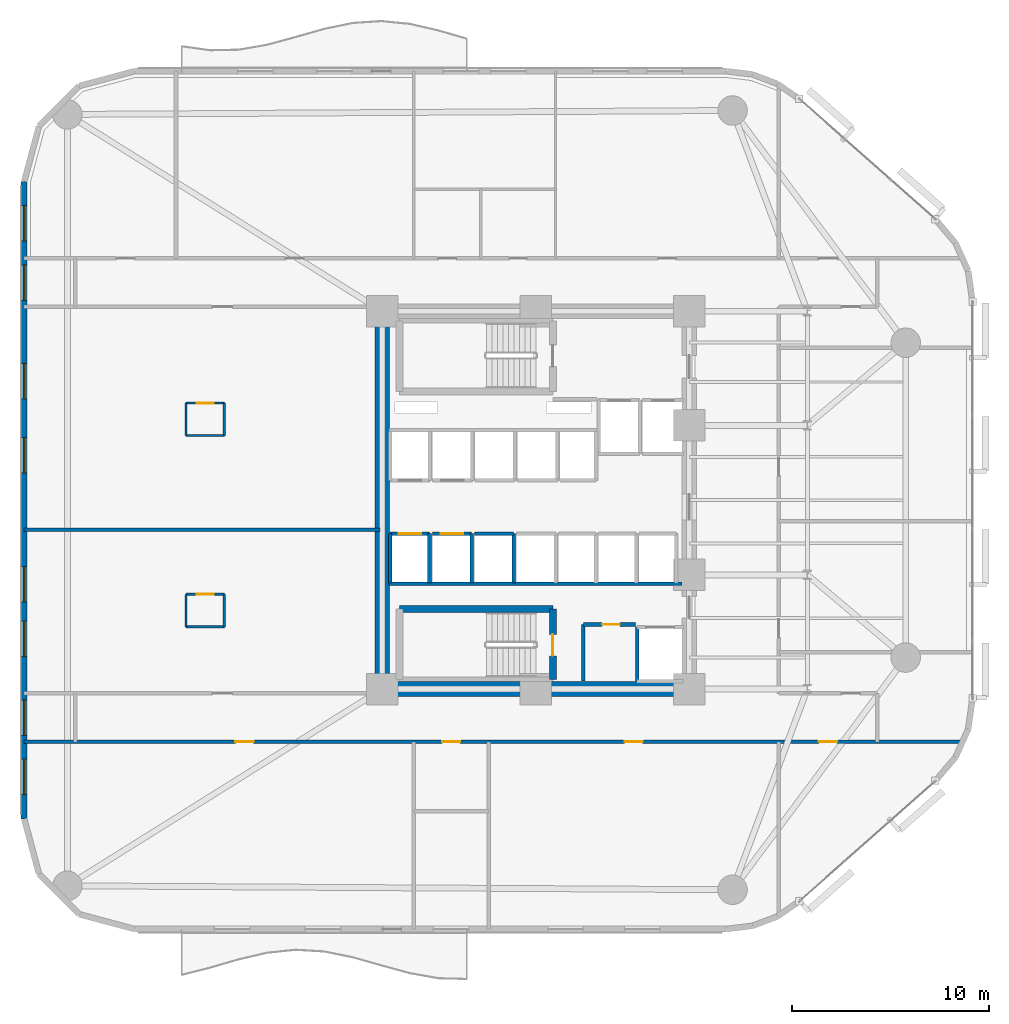
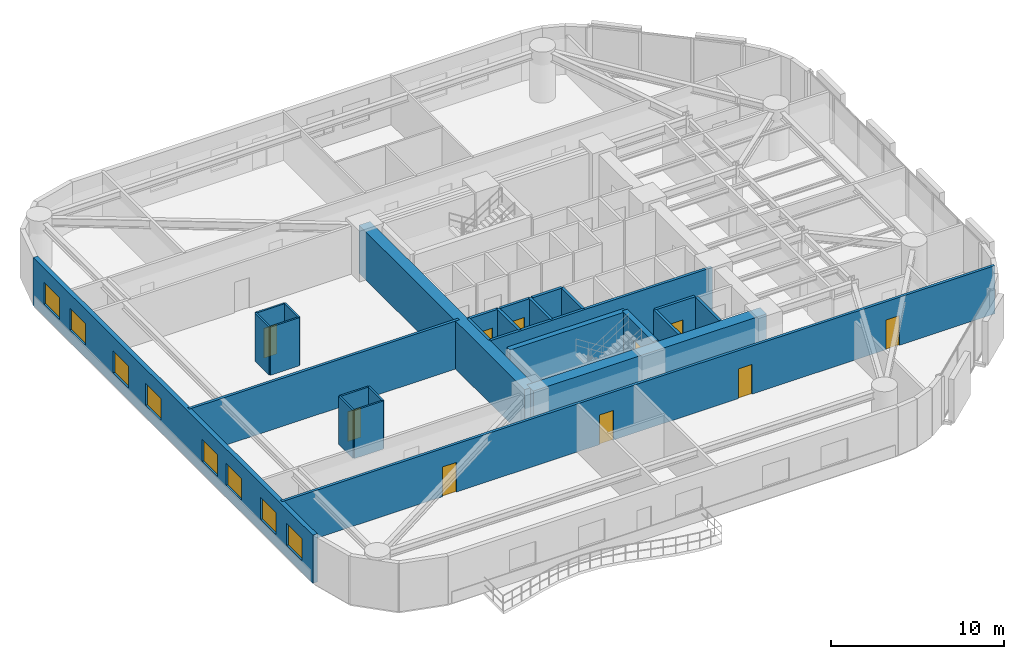
# One storey, part 10 of 16: 26 walls, 10 doors, 8 windows, 18 openings.
"""IFC4 building model written with IfcOpenShell, lengths in metres."""

from ifc_helpers import new_model, si_unit, direction, frame, frame_2d, origin, place, context, subcontext, project, spatial, rectangle, extrude, material, layer, layer_set, type_object, element, fill, save


model = new_model("IFC4")

# Units and contexts
model_context = context("Model", 3, precision=1e-05, world=origin(), true_north=direction((0.0, 1.0)))
body_context = subcontext(model_context, "Body", "Model", "MODEL_VIEW")
ifc_project = project(units=[si_unit("LENGTHUNIT", "METRE"), si_unit("AREAUNIT", "SQUARE_METRE"), si_unit("VOLUMEUNIT", "CUBIC_METRE"), si_unit("PLANEANGLEUNIT", "RADIAN"), si_unit("MASSUNIT", "GRAM", prefix="KILO")], contexts=[model_context])

# Site, building, storey
site_placement = place(None, origin())
site = spatial("IfcSite", under=ifc_project, at=site_placement, CompositionType="ELEMENT")
building_placement = place(site_placement, origin())
building = spatial("IfcBuilding", under=site, at=building_placement, Name="An Khanh Terracotta Commons", CompositionType="ELEMENT")
storey_placement = place(building_placement, frame((0.0, 0.0, 43.199951171875)))
storey = spatial("IfcBuildingStorey", under=building, at=storey_placement, Name="L11", CompositionType="ELEMENT", Elevation=43.199951171875)

# Walls
ifc_material_1 = material(Name="Concrete C70/85", Category="concrete")
ifc_layer_1 = layer(ifc_material_1, 0.75, Name="Concrete C70/85")
ifc_layer_set_1 = layer_set([ifc_layer_1], Name="Concrete C70/85")
wall_type_1 = type_object("IfcWallType", Name="WALL-CORE-750", PredefinedType="SHEAR", material=ifc_layer_set_1)
wall_1_placement = place(storey_placement, frame((21.60009765625, 14.39990234375, 0.0), z_axis=(0.0, 0.0, 1.0), x_axis=(0.0, 1.0, 0.0)))
element("IfcWall", 1, at=wall_1_placement, inside=storey, type_object=wall_type_1, Name="L11 Core Wall CWALL-L11-W", PredefinedType="SHEAR", context=body_context, shape_type="SweptSolid", body=[
    extrude(rectangle(XDim=19.2001953125, YDim=0.75, at=frame_2d((9.60009765625, 0.0))), origin(), (0.0, 0.0, 1.0), 3.400146484375),
])
wall_2_placement = place(storey_placement, frame((37.199951171875, 14.39990234375, 0.0), z_axis=(0.0, 0.0, 1.0), x_axis=(-1.0, 0.0, 0.0)))
element("IfcWall", 2, at=wall_2_placement, inside=storey, type_object=wall_type_1, Name="L11 Core Wall CWALL-L11-S", PredefinedType="SHEAR", context=body_context, shape_type="SweptSolid", body=[
    extrude(rectangle(XDim=15.599853515625, YDim=0.75, at=frame_2d((7.7998046875, 0.0))), origin(), (0.0, 0.0, 1.0), 3.400146484375),
])
ifc_material_2 = material(Name="Fire-Rated Gypsum Board on Steel Stud", Category="steel")
ifc_layer_2 = layer(ifc_material_2, 0.179931640625, Name="Fire-Rated Gypsum Board on Steel Stud")
ifc_layer_set_2 = layer_set([ifc_layer_2], Name="Fire-Rated Gypsum Board on Steel Stud")
wall_type_2 = type_object("IfcWallType", Name="WALL-CORR-180", PredefinedType="PARTITIONING", material=ifc_layer_set_2)
wall_3_placement = place(storey_placement, frame((21.949951171875, 19.760009765625, 0.0), z_axis=(0.0, 0.0, 1.0), x_axis=(1.0, 0.0, 0.0)))
element("IfcWall", 3, at=wall_3_placement, inside=storey, type_object=wall_type_2, Name="L11 Core Wall SVW-L11-N", PredefinedType="PARTITIONING", context=body_context, shape_type="SweptSolid", body=[
    extrude(rectangle(XDim=14.8701171875, YDim=0.179931640625, at=frame_2d((7.43505859375, 0.0))), origin(), (0.0, 0.0, 1.0), 3.400146484375),
])

# Wall, opening, door
wall_4_placement = place(storey_placement, frame((31.820068359375, 17.679931640625, 0.0), z_axis=(0.0, 0.0, 1.0), x_axis=(1.0, 0.0, 0.0)))
wall_4 = element("IfcWall", 4, at=wall_4_placement, inside=storey, type_object=wall_type_2, Name="L11 Core Wall SSVCW-L11-N", PredefinedType="PARTITIONING", context=body_context, shape_type="SweptSolid", body=[
    extrude(rectangle(XDim=2.659912109375, YDim=0.179931640625, at=frame_2d((1.330078125, 0.0))), origin(), (0.0, 0.0, 1.0), 3.400146484375),
])
opening_1_placement = place(wall_4_placement, frame((0.949951171875, 0.0, 0.0)))
opening_1 = element("IfcOpeningElement", 5, at=opening_1_placement, cuts=wall_4, Name="Opening D-SV", PredefinedType="OPENING", context=body_context, shape_type="SweptSolid", body=[
    extrude(rectangle(XDim=0.89990234375, YDim=2.050048828125, at=frame_2d((0.449951171875, 1.02490234375))), frame((0.0, 0.099853515625, 0.0), z_axis=(0.0, -1.0, 0.0), x_axis=(1.0, 0.0, 0.0)), (0.0, 0.0, 1.0), 0.199951171875),
])
ifc_material_3 = material(Name="Fire-Rated Powder-Coated Steel Door", Category="steel")
door_type_1 = type_object("IfcDoorType", Name="DOOR-SERV-900", OperationType="NOTDEFINED", PredefinedType="DOOR", material=ifc_material_3)
door_1_placement = place(opening_1_placement, origin())
door_1 = element("IfcDoor", 6, at=door_1_placement, inside=storey, type_object=door_type_1, Name="L11 Electrical Switch Cupboard Door", OperationType="SINGLE_SWING_RIGHT", OverallHeight=2.050048828125, OverallWidth=0.89990234375, PredefinedType="DOOR", context=body_context, shape_type="SweptSolid", body=[
    extrude(rectangle(XDim=0.89990234375, YDim=2.050048828125, at=frame_2d((0.449951171875, 1.02490234375))), frame((0.0, 0.02490234375, 0.0), z_axis=(0.0, -1.0, 0.0), x_axis=(1.0, 0.0, 0.0)), (0.0, 0.0, 1.0), 0.050048828125),
])
fill(opening_1, door_1)

# Walls
wall_5_placement = place(storey_placement, frame((31.820068359375, 14.800048828125, 0.0), z_axis=(0.0, 0.0, 1.0), x_axis=(0.0, 1.0, 0.0)))
element("IfcWall", 7, at=wall_5_placement, inside=storey, type_object=wall_type_2, Name="L11 Core Wall SSVCW-L11-W", PredefinedType="PARTITIONING", context=body_context, shape_type="SweptSolid", body=[
    extrude(rectangle(XDim=2.8798828125, YDim=0.179931640625, at=frame_2d((1.43994140625, 0.0))), origin(), (0.0, 0.0, 1.0), 3.400146484375),
])
wall_6_placement = place(storey_placement, frame((34.550048828125, 17.550048828125, 0.0), z_axis=(0.0, 0.0, 1.0), x_axis=(0.0, -1.0, 0.0)))
element("IfcWall", 8, at=wall_6_placement, inside=storey, type_object=wall_type_2, Name="L11 Core Wall LSH-L11-SVL-01-W", PredefinedType="PARTITIONING", context=body_context, shape_type="SweptSolid", body=[
    extrude(rectangle(XDim=2.75, YDim=0.179931640625, at=frame_2d((1.375, 0.0))), origin(), (0.0, 0.0, 1.0), 3.400146484375),
])

# Wall, opening, door
wall_7_placement = place(storey_placement, frame((22.0, 22.300048828125, 0.0), z_axis=(0.0, 0.0, 1.0), x_axis=(1.0, 0.0, 0.0)))
wall_7 = element("IfcWall", 9, at=wall_7_placement, inside=storey, type_object=wall_type_2, Name="L11 Core Wall LSH-L11-PL-L3-N", PredefinedType="PARTITIONING", context=body_context, shape_type="SweptSolid", body=[
    extrude(rectangle(XDim=2.0, YDim=0.179931640625, at=frame_2d((1.0, 0.0))), origin(), (0.0, 0.0, 1.0), 3.400146484375),
])
opening_2_placement = place(wall_7_placement, frame((0.425048828125, 0.0, 0.0)))
opening_2 = element("IfcOpeningElement", 10, at=opening_2_placement, cuts=wall_7, Name="Opening LD-PL-L3-L11", PredefinedType="OPENING", context=body_context, shape_type="SweptSolid", body=[
    extrude(rectangle(XDim=1.14990234375, YDim=2.199951171875, at=frame_2d((0.574951171875, 1.10009765625))), frame((0.0, 0.099853515625, 0.0), z_axis=(0.0, -1.0, 0.0), x_axis=(1.0, 0.0, 0.0)), (0.0, 0.0, 1.0), 0.199951171875),
])
ifc_material_4 = material(Name="Brushed Stainless Steel Passenger Landing Door", Category="steel")
door_type_2 = type_object("IfcDoorType", Name="DOOR-LD-PAX-1150", OperationType="NOTDEFINED", PredefinedType="DOOR", material=ifc_material_4)
door_2_placement = place(opening_2_placement, origin())
door_2 = element("IfcDoor", 11, at=door_2_placement, inside=storey, type_object=door_type_2, Name="L11 Lift PL-L3 Sliding Landing Door", OperationType="DOUBLE_DOOR_SLIDING", OverallHeight=2.199951171875, OverallWidth=1.14990234375, PredefinedType="DOOR", context=body_context, shape_type="SweptSolid", body=[
    extrude(rectangle(XDim=1.14990234375, YDim=2.199951171875, at=frame_2d((0.574951171875, 1.10009765625))), frame((0.0, 0.02490234375, 0.0), z_axis=(0.0, -1.0, 0.0), x_axis=(1.0, 0.0, 0.0)), (0.0, 0.0, 1.0), 0.050048828125),
])
fill(opening_2, door_2)

# Walls
for number, where, z_axis, x_axis, name in (
    (12, (24.0, 19.800048828125, 0.0), (0.0, 0.0, 1.0), (0.0, 1.0, 0.0), "L11 Core Wall LSH-L11-PL-L3-E"),
    (13, (22.0, 22.300048828125, 0.0), (0.0, 0.0, 1.0), (0.0, -1.0, 0.0), "L11 Core Wall LSH-L11-PL-L3-W"),
):
    element("IfcWall", number, at=place(storey_placement, frame(where, z_axis=z_axis, x_axis=x_axis)), inside=storey, type_object=wall_type_2, Name=name, PredefinedType="PARTITIONING", context=body_context, shape_type="SweptSolid", body=[
        extrude(rectangle(XDim=2.5, YDim=0.179931640625, at=frame_2d((1.25, 0.0))), origin(), (0.0, 0.0, 1.0), 3.400146484375),
    ])

# Wall, opening, door
wall_8_placement = place(storey_placement, frame((24.139892578125, 22.300048828125, 0.0), z_axis=(0.0, 0.0, 1.0), x_axis=(1.0, 0.0, 0.0)))
wall_8 = element("IfcWall", 14, at=wall_8_placement, inside=storey, type_object=wall_type_2, Name="L11 Core Wall LSH-L11-PL-L4-N", PredefinedType="PARTITIONING", context=body_context, shape_type="SweptSolid", body=[
    extrude(rectangle(XDim=2.0, YDim=0.179931640625, at=frame_2d((1.0, 0.0))), origin(), (0.0, 0.0, 1.0), 3.400146484375),
])
opening_3_placement = place(wall_8_placement, frame((0.425048828125, 0.0, 0.0)))
opening_3 = element("IfcOpeningElement", 15, at=opening_3_placement, cuts=wall_8, Name="Opening LD-PL-L4-L11", PredefinedType="OPENING", context=body_context, shape_type="SweptSolid", body=[
    extrude(rectangle(XDim=1.14990234375, YDim=2.199951171875, at=frame_2d((0.574951171875, 1.10009765625))), frame((0.0, 0.099853515625, 0.0), z_axis=(0.0, -1.0, 0.0), x_axis=(1.0, 0.0, 0.0)), (0.0, 0.0, 1.0), 0.199951171875),
])
door_3_placement = place(opening_3_placement, origin())
door_3 = element("IfcDoor", 16, at=door_3_placement, inside=storey, type_object=door_type_2, Name="L11 Lift PL-L4 Sliding Landing Door", OperationType="DOUBLE_DOOR_SLIDING", OverallHeight=2.199951171875, OverallWidth=1.14990234375, PredefinedType="DOOR", context=body_context, shape_type="SweptSolid", body=[
    extrude(rectangle(XDim=1.14990234375, YDim=2.199951171875, at=frame_2d((0.574951171875, 1.10009765625))), frame((0.0, 0.02490234375, 0.0), z_axis=(0.0, -1.0, 0.0), x_axis=(1.0, 0.0, 0.0)), (0.0, 0.0, 1.0), 0.050048828125),
])
fill(opening_3, door_3)

# Walls
wall_9_placement = place(storey_placement, frame((26.139892578125, 19.800048828125, 0.0), z_axis=(0.0, 0.0, 1.0), x_axis=(0.0, 1.0, 0.0)))
element("IfcWall", 17, at=wall_9_placement, inside=storey, type_object=wall_type_2, Name="L11 Core Wall LSH-L11-PL-L4-E", PredefinedType="PARTITIONING", context=body_context, shape_type="SweptSolid", body=[
    extrude(rectangle(XDim=2.5, YDim=0.179931640625, at=frame_2d((1.25, 0.0))), origin(), (0.0, 0.0, 1.0), 3.400146484375),
])
wall_10_placement = place(storey_placement, frame((26.280029296875, 22.300048828125, 0.0), z_axis=(0.0, 0.0, 1.0), x_axis=(1.0, 0.0, 0.0)))
element("IfcWall", 18, at=wall_10_placement, inside=storey, type_object=wall_type_2, Name="L11 Core Wall LSH-L11-PL-M3-N", PredefinedType="PARTITIONING", context=body_context, shape_type="SweptSolid", body=[
    extrude(rectangle(XDim=2.0, YDim=0.179931640625, at=frame_2d((1.0, 0.0))), origin(), (0.0, 0.0, 1.0), 3.400146484375),
])
wall_11_placement = place(storey_placement, frame((28.280029296875, 19.800048828125, 0.0), z_axis=(0.0, 0.0, 1.0), x_axis=(0.0, 1.0, 0.0)))
element("IfcWall", 19, at=wall_11_placement, inside=storey, type_object=wall_type_2, Name="L11 Core Wall LSH-L11-PL-M3-E", PredefinedType="PARTITIONING", context=body_context, shape_type="SweptSolid", body=[
    extrude(rectangle(XDim=2.5, YDim=0.179931640625, at=frame_2d((1.25, 0.0))), origin(), (0.0, 0.0, 1.0), 3.400146484375),
])

# Wall, openings, doors
wall_12_placement = place(storey_placement, frame((3.39990234375, 11.719970703125, 0.0), z_axis=(0.0, 0.0, 1.0), x_axis=(1.0, 0.0, 0.0)))
wall_12 = element("IfcWall", 20, at=wall_12_placement, inside=storey, type_object=wall_type_2, Name="L11 Interior Partition IW-L11-E002", PredefinedType="PARTITIONING", context=body_context, shape_type="SweptSolid", body=[
    extrude(rectangle(XDim=47.689208984375, YDim=0.179931640625, at=frame_2d((23.8447265625, 0.0))), origin(), (0.0, 0.0, 1.0), 3.400146484375),
])
opening_4_placement = place(wall_12_placement, frame((21.239990234375, 0.0, 0.0)))
opening_4 = element("IfcOpeningElement", 21, at=opening_4_placement, cuts=wall_12, Name="Opening D-RM", PredefinedType="OPENING", context=body_context, shape_type="SweptSolid", body=[
    extrude(rectangle(XDim=0.919921875, YDim=2.10009765625, at=frame_2d((0.4599609375, 1.050048828125))), frame((0.0, 0.099853515625, 0.0), z_axis=(0.0, -1.0, 0.0), x_axis=(1.0, 0.0, 0.0)), (0.0, 0.0, 1.0), 0.199951171875),
])
opening_5_placement = place(wall_12_placement, frame((40.389892578125, 0.0, 0.0)))
opening_5 = element("IfcOpeningElement", 22, at=opening_5_placement, cuts=wall_12, Name="Opening D-RM", PredefinedType="OPENING", context=body_context, shape_type="SweptSolid", body=[
    extrude(rectangle(XDim=0.919921875, YDim=2.10009765625, at=frame_2d((0.4599609375, 1.050048828125))), frame((0.0, 0.099853515625, 0.0), z_axis=(0.0, -1.0, 0.0), x_axis=(1.0, 0.0, 0.0)), (0.0, 0.0, 1.0), 0.199951171875),
])
opening_6_placement = place(wall_12_placement, frame((10.739990234375, 0.0, 0.0)))
opening_6 = element("IfcOpeningElement", 23, at=opening_6_placement, cuts=wall_12, Name="Opening D-RM", PredefinedType="OPENING", context=body_context, shape_type="SweptSolid", body=[
    extrude(rectangle(XDim=0.919921875, YDim=2.10009765625, at=frame_2d((0.4599609375, 1.050048828125))), frame((0.0, 0.099853515625, 0.0), z_axis=(0.0, -1.0, 0.0), x_axis=(1.0, 0.0, 0.0)), (0.0, 0.0, 1.0), 0.199951171875),
])
opening_7_placement = place(wall_12_placement, frame((30.514892578125, 0.0, 0.0)))
opening_7 = element("IfcOpeningElement", 24, at=opening_7_placement, cuts=wall_12, Name="Opening D-RM", PredefinedType="OPENING", context=body_context, shape_type="SweptSolid", body=[
    extrude(rectangle(XDim=0.919921875, YDim=2.10009765625, at=frame_2d((0.4599609375, 1.050048828125))), frame((0.0, 0.099853515625, 0.0), z_axis=(0.0, -1.0, 0.0), x_axis=(1.0, 0.0, 0.0)), (0.0, 0.0, 1.0), 0.199951171875),
])
ifc_material_5 = material(Name="Engineered Hardwood Timber Leaf", Category="wood")
door_type_3 = type_object("IfcDoorType", Name="DOOR-INT-920", OperationType="NOTDEFINED", PredefinedType="DOOR", material=ifc_material_5)
door_4_placement = place(opening_4_placement, origin())
door_4 = element("IfcDoor", 25, at=door_4_placement, inside=storey, type_object=door_type_3, Name="L11 HKP Housekeeping Linen Store Door", OperationType="SINGLE_SWING_LEFT", OverallHeight=2.10009765625, OverallWidth=0.919921875, PredefinedType="DOOR", context=body_context, shape_type="SweptSolid", body=[
    extrude(rectangle(XDim=0.919921875, YDim=2.10009765625, at=frame_2d((0.4599609375, 1.050048828125))), frame((0.0, 0.02490234375, 0.0), z_axis=(0.0, -1.0, 0.0), x_axis=(1.0, 0.0, 0.0)), (0.0, 0.0, 1.0), 0.050048828125),
])
fill(opening_4, door_4)
door_5_placement = place(opening_5_placement, origin())
door_5 = element("IfcDoor", 26, at=door_5_placement, inside=storey, type_object=door_type_3, Name="L11 FANS Quiet Focus Office Door", OperationType="SINGLE_SWING_LEFT", OverallHeight=2.10009765625, OverallWidth=0.919921875, PredefinedType="DOOR", context=body_context, shape_type="SweptSolid", body=[
    extrude(rectangle(XDim=0.919921875, YDim=2.10009765625, at=frame_2d((0.4599609375, 1.050048828125))), frame((0.0, 0.02490234375, 0.0), z_axis=(0.0, -1.0, 0.0), x_axis=(1.0, 0.0, 0.0)), (0.0, 0.0, 1.0), 0.050048828125),
])
fill(opening_5, door_5)
door_6_placement = place(opening_6_placement, origin())
door_6 = element("IfcDoor", 27, at=door_6_placement, inside=storey, type_object=door_type_3, Name="L11 SW1 Communal Kitchen and Dining Door", OperationType="SINGLE_SWING_LEFT", OverallHeight=2.10009765625, OverallWidth=0.919921875, PredefinedType="DOOR", context=body_context, shape_type="SweptSolid", body=[
    extrude(rectangle(XDim=0.919921875, YDim=2.10009765625, at=frame_2d((0.4599609375, 1.050048828125))), frame((0.0, 0.02490234375, 0.0), z_axis=(0.0, -1.0, 0.0), x_axis=(1.0, 0.0, 0.0)), (0.0, 0.0, 1.0), 0.050048828125),
])
fill(opening_6, door_6)
door_7_placement = place(opening_7_placement, origin())
door_7 = element("IfcDoor", 28, at=door_7_placement, inside=storey, type_object=door_type_3, Name="L11 SWE Communal Kitchen and Dining Door", OperationType="SINGLE_SWING_RIGHT", OverallHeight=2.10009765625, OverallWidth=0.919921875, PredefinedType="DOOR", context=body_context, shape_type="SweptSolid", body=[
    extrude(rectangle(XDim=0.919921875, YDim=2.10009765625, at=frame_2d((0.4599609375, 1.050048828125))), frame((0.0, 0.02490234375, 0.0), z_axis=(0.0, -1.0, 0.0), x_axis=(1.0, 0.0, 0.0)), (0.0, 0.0, 1.0), 0.050048828125),
])
fill(opening_7, door_7)

# Wall
wall_13_placement = place(storey_placement, frame((3.39990234375, 22.5, 0.0), z_axis=(0.0, 0.0, 1.0), x_axis=(1.0, 0.0, 0.0)))
element("IfcWall", 29, at=wall_13_placement, inside=storey, type_object=wall_type_2, Name="L11 Interior Partition IW-L11-E006", PredefinedType="PARTITIONING", context=body_context, shape_type="SweptSolid", body=[
    extrude(rectangle(XDim=18.080078125, YDim=0.179931640625, at=frame_2d((9.0400390625, 0.0))), origin(), (0.0, 0.0, 1.0), 3.400146484375),
])

# Wall, openings, windows
ifc_material_6 = material(Name="Precast concrete C40/50", Category="concrete")
ifc_layer_3 = layer(ifc_material_6, 0.300048828125, Name="Precast concrete C40/50")
ifc_layer_set_3 = layer_set([ifc_layer_3], Name="Precast concrete C40/50")
wall_type_3 = type_object("IfcWallType", Name="WALL-EXT-300", PredefinedType="SOLIDWALL", material=ifc_layer_set_3)
wall_14_placement = place(storey_placement, frame((3.39990234375, 40.199951171875, 0.0), z_axis=(0.0, 0.0, 1.0), x_axis=(0.0, -1.0, 0.0)))
wall_14 = element("IfcWall", 30, at=wall_14_placement, inside=storey, type_object=wall_type_3, Name="L11 Insulated Terracotta Exterior Wall 24", PredefinedType="SOLIDWALL", context=body_context, shape_type="SweptSolid", body=[
    extrude(rectangle(XDim=32.39990234375, YDim=0.300048828125, at=frame_2d((16.199951171875, 0.0))), origin(), (0.0, 0.0, 1.0), 3.400146484375),
])
opening_8_placement = place(wall_14_placement, frame((1.235107421875, 0.0, 0.85009765625)))
opening_8 = element("IfcOpeningElement", 31, at=opening_8_placement, cuts=wall_14, Name="Opening W-01", PredefinedType="OPENING", context=body_context, shape_type="SweptSolid", body=[
    extrude(rectangle(XDim=1.800048828125, YDim=1.550048828125, at=frame_2d((0.89990234375, 0.77490234375))), frame((0.0, 0.159912109375, 0.0), z_axis=(0.0, -1.0, 0.0), x_axis=(1.0, 0.0, 0.0)), (0.0, 0.0, 1.0), 0.320068359375),
])
opening_9_placement = place(wall_14_placement, frame((4.25, 0.0, 0.85009765625)))
opening_9 = element("IfcOpeningElement", 32, at=opening_9_placement, cuts=wall_14, Name="Opening W-01", PredefinedType="OPENING", context=body_context, shape_type="SweptSolid", body=[
    extrude(rectangle(XDim=1.800048828125, YDim=1.550048828125, at=frame_2d((0.89990234375, 0.77490234375))), frame((0.0, 0.159912109375, 0.0), z_axis=(0.0, -1.0, 0.0), x_axis=(1.0, 0.0, 0.0)), (0.0, 0.0, 1.0), 0.320068359375),
])
opening_10_placement = place(wall_14_placement, frame((9.2529296875, 0.0, 0.85009765625)))
opening_10 = element("IfcOpeningElement", 33, at=opening_10_placement, cuts=wall_14, Name="Opening W-01", PredefinedType="OPENING", context=body_context, shape_type="SweptSolid", body=[
    extrude(rectangle(XDim=1.800048828125, YDim=1.550048828125, at=frame_2d((0.89990234375, 0.77490234375))), frame((0.0, 0.159912109375, 0.0), z_axis=(0.0, -1.0, 0.0), x_axis=(1.0, 0.0, 0.0)), (0.0, 0.0, 1.0), 0.320068359375),
])
opening_11_placement = place(wall_14_placement, frame((13.027099609375, 0.0, 0.85009765625)))
opening_11 = element("IfcOpeningElement", 34, at=opening_11_placement, cuts=wall_14, Name="Opening W-01", PredefinedType="OPENING", context=body_context, shape_type="SweptSolid", body=[
    extrude(rectangle(XDim=1.800048828125, YDim=1.550048828125, at=frame_2d((0.89990234375, 0.77490234375))), frame((0.0, 0.159912109375, 0.0), z_axis=(0.0, -1.0, 0.0), x_axis=(1.0, 0.0, 0.0)), (0.0, 0.0, 1.0), 0.320068359375),
])
opening_12_placement = place(wall_14_placement, frame((19.572998046875, 0.0, 0.85009765625)))
opening_12 = element("IfcOpeningElement", 35, at=opening_12_placement, cuts=wall_14, Name="Opening W-01", PredefinedType="OPENING", context=body_context, shape_type="SweptSolid", body=[
    extrude(rectangle(XDim=1.800048828125, YDim=1.550048828125, at=frame_2d((0.89990234375, 0.77490234375))), frame((0.0, 0.159912109375, 0.0), z_axis=(0.0, -1.0, 0.0), x_axis=(1.0, 0.0, 0.0)), (0.0, 0.0, 1.0), 0.320068359375),
])
opening_13_placement = place(wall_14_placement, frame((22.346923828125, 0.0, 0.85009765625)))
opening_13 = element("IfcOpeningElement", 36, at=opening_13_placement, cuts=wall_14, Name="Opening W-01", PredefinedType="OPENING", context=body_context, shape_type="SweptSolid", body=[
    extrude(rectangle(XDim=1.800048828125, YDim=1.550048828125, at=frame_2d((0.89990234375, 0.77490234375))), frame((0.0, 0.159912109375, 0.0), z_axis=(0.0, -1.0, 0.0), x_axis=(1.0, 0.0, 0.0)), (0.0, 0.0, 1.0), 0.320068359375),
])
opening_14_placement = place(wall_14_placement, frame((26.35009765625, 0.0, 0.85009765625)))
opening_14 = element("IfcOpeningElement", 37, at=opening_14_placement, cuts=wall_14, Name="Opening W-01", PredefinedType="OPENING", context=body_context, shape_type="SweptSolid", body=[
    extrude(rectangle(XDim=1.800048828125, YDim=1.550048828125, at=frame_2d((0.89990234375, 0.77490234375))), frame((0.0, 0.159912109375, 0.0), z_axis=(0.0, -1.0, 0.0), x_axis=(1.0, 0.0, 0.0)), (0.0, 0.0, 1.0), 0.320068359375),
])
opening_15_placement = place(wall_14_placement, frame((29.364990234375, 0.0, 0.85009765625)))
opening_15 = element("IfcOpeningElement", 38, at=opening_15_placement, cuts=wall_14, Name="Opening W-01", PredefinedType="OPENING", context=body_context, shape_type="SweptSolid", body=[
    extrude(rectangle(XDim=1.800048828125, YDim=1.550048828125, at=frame_2d((0.89990234375, 0.77490234375))), frame((0.0, 0.159912109375, 0.0), z_axis=(0.0, -1.0, 0.0), x_axis=(1.0, 0.0, 0.0)), (0.0, 0.0, 1.0), 0.320068359375),
])
ifc_material_7 = material(Name="Thermally Broken Aluminium and Low-E Glass", Category="aluminium")
window_type = type_object("IfcWindowType", Name="WIN-Z1-1800x1550", PartitioningType="DOUBLE_PANEL_VERTICAL", PredefinedType="WINDOW", material=ifc_material_7)
window_1_placement = place(opening_8_placement, origin())
window_1 = element("IfcWindow", 39, at=window_1_placement, inside=storey, type_object=window_type, Name="L11 Operable Casement Window 24.1", OverallHeight=1.550048828125, OverallWidth=1.800048828125, PartitioningType="DOUBLE_PANEL_VERTICAL", PredefinedType="WINDOW", context=body_context, shape_type="SweptSolid", body=[
    extrude(rectangle(XDim=1.800048828125, YDim=1.550048828125, at=frame_2d((0.89990234375, 0.77490234375))), frame((0.0, 0.030029296875, 0.0), z_axis=(0.0, -1.0, 0.0), x_axis=(1.0, 0.0, 0.0)), (0.0, 0.0, 1.0), 0.06005859375),
])
fill(opening_8, window_1)
window_2_placement = place(opening_9_placement, origin())
window_2 = element("IfcWindow", 40, at=window_2_placement, inside=storey, type_object=window_type, Name="L11 Operable Casement Window 24.2", OverallHeight=1.550048828125, OverallWidth=1.800048828125, PartitioningType="DOUBLE_PANEL_VERTICAL", PredefinedType="WINDOW", context=body_context, shape_type="SweptSolid", body=[
    extrude(rectangle(XDim=1.800048828125, YDim=1.550048828125, at=frame_2d((0.89990234375, 0.77490234375))), frame((0.0, 0.030029296875, 0.0), z_axis=(0.0, -1.0, 0.0), x_axis=(1.0, 0.0, 0.0)), (0.0, 0.0, 1.0), 0.06005859375),
])
fill(opening_9, window_2)
window_3_placement = place(opening_10_placement, origin())
window_3 = element("IfcWindow", 41, at=window_3_placement, inside=storey, type_object=window_type, Name="L11 Operable Casement Window 24.3", OverallHeight=1.550048828125, OverallWidth=1.800048828125, PartitioningType="DOUBLE_PANEL_VERTICAL", PredefinedType="WINDOW", context=body_context, shape_type="SweptSolid", body=[
    extrude(rectangle(XDim=1.800048828125, YDim=1.550048828125, at=frame_2d((0.89990234375, 0.77490234375))), frame((0.0, 0.030029296875, 0.0), z_axis=(0.0, -1.0, 0.0), x_axis=(1.0, 0.0, 0.0)), (0.0, 0.0, 1.0), 0.06005859375),
])
fill(opening_10, window_3)
window_4_placement = place(opening_11_placement, origin())
window_4 = element("IfcWindow", 42, at=window_4_placement, inside=storey, type_object=window_type, Name="L11 Operable Casement Window 24.4", OverallHeight=1.550048828125, OverallWidth=1.800048828125, PartitioningType="DOUBLE_PANEL_VERTICAL", PredefinedType="WINDOW", context=body_context, shape_type="SweptSolid", body=[
    extrude(rectangle(XDim=1.800048828125, YDim=1.550048828125, at=frame_2d((0.89990234375, 0.77490234375))), frame((0.0, 0.030029296875, 0.0), z_axis=(0.0, -1.0, 0.0), x_axis=(1.0, 0.0, 0.0)), (0.0, 0.0, 1.0), 0.06005859375),
])
fill(opening_11, window_4)
window_5_placement = place(opening_12_placement, origin())
window_5 = element("IfcWindow", 43, at=window_5_placement, inside=storey, type_object=window_type, Name="L11 Operable Casement Window 24.5", OverallHeight=1.550048828125, OverallWidth=1.800048828125, PartitioningType="DOUBLE_PANEL_VERTICAL", PredefinedType="WINDOW", context=body_context, shape_type="SweptSolid", body=[
    extrude(rectangle(XDim=1.800048828125, YDim=1.550048828125, at=frame_2d((0.89990234375, 0.77490234375))), frame((0.0, 0.030029296875, 0.0), z_axis=(0.0, -1.0, 0.0), x_axis=(1.0, 0.0, 0.0)), (0.0, 0.0, 1.0), 0.06005859375),
])
fill(opening_12, window_5)
window_6_placement = place(opening_13_placement, origin())
window_6 = element("IfcWindow", 44, at=window_6_placement, inside=storey, type_object=window_type, Name="L11 Operable Casement Window 24.6", OverallHeight=1.550048828125, OverallWidth=1.800048828125, PartitioningType="DOUBLE_PANEL_VERTICAL", PredefinedType="WINDOW", context=body_context, shape_type="SweptSolid", body=[
    extrude(rectangle(XDim=1.800048828125, YDim=1.550048828125, at=frame_2d((0.89990234375, 0.77490234375))), frame((0.0, 0.030029296875, 0.0), z_axis=(0.0, -1.0, 0.0), x_axis=(1.0, 0.0, 0.0)), (0.0, 0.0, 1.0), 0.06005859375),
])
fill(opening_13, window_6)
window_7_placement = place(opening_14_placement, origin())
window_7 = element("IfcWindow", 45, at=window_7_placement, inside=storey, type_object=window_type, Name="L11 Operable Casement Window 24.7", OverallHeight=1.550048828125, OverallWidth=1.800048828125, PartitioningType="DOUBLE_PANEL_VERTICAL", PredefinedType="WINDOW", context=body_context, shape_type="SweptSolid", body=[
    extrude(rectangle(XDim=1.800048828125, YDim=1.550048828125, at=frame_2d((0.89990234375, 0.77490234375))), frame((0.0, 0.030029296875, 0.0), z_axis=(0.0, -1.0, 0.0), x_axis=(1.0, 0.0, 0.0)), (0.0, 0.0, 1.0), 0.06005859375),
])
fill(opening_14, window_7)
window_8_placement = place(opening_15_placement, origin())
window_8 = element("IfcWindow", 46, at=window_8_placement, inside=storey, type_object=window_type, Name="L11 Operable Casement Window 24.8", OverallHeight=1.550048828125, OverallWidth=1.800048828125, PartitioningType="DOUBLE_PANEL_VERTICAL", PredefinedType="WINDOW", context=body_context, shape_type="SweptSolid", body=[
    extrude(rectangle(XDim=1.800048828125, YDim=1.550048828125, at=frame_2d((0.89990234375, 0.77490234375))), frame((0.0, 0.030029296875, 0.0), z_axis=(0.0, -1.0, 0.0), x_axis=(1.0, 0.0, 0.0)), (0.0, 0.0, 1.0), 0.06005859375),
])
fill(opening_15, window_8)

# Wall
ifc_material_8 = material(Name="Concrete C50/60", Category="concrete")
ifc_layer_4 = layer(ifc_material_8, 0.35009765625, Name="Concrete C50/60")
ifc_layer_set_4 = layer_set([ifc_layer_4], Name="Concrete C50/60")
wall_type_4 = type_object("IfcWallType", Name="WALL-SHAFT-350", PredefinedType="SOLIDWALL", material=ifc_layer_set_4)
wall_15_placement = place(storey_placement, frame((22.47998046875, 18.469970703125, 0.0), z_axis=(0.0, 0.0, 1.0), x_axis=(1.0, 0.0, 0.0)))
element("IfcWall", 47, at=wall_15_placement, inside=storey, type_object=wall_type_4, Name="L11 Core Wall STW-L11-S-N", PredefinedType="SOLIDWALL", context=body_context, shape_type="SweptSolid", body=[
    extrude(rectangle(XDim=7.7900390625, YDim=0.35009765625, at=frame_2d((3.89501953125, 0.0))), origin(), (0.0, 0.0, 1.0), 3.400146484375),
])

# Wall, opening, door
wall_16_placement = place(storey_placement, frame((30.27001953125, 14.889892578125, 0.0), z_axis=(0.0, 0.0, 1.0), x_axis=(0.0, 1.0, 0.0)))
wall_16 = element("IfcWall", 48, at=wall_16_placement, inside=storey, type_object=wall_type_4, Name="L11 Core Wall STW-L11-S-E", PredefinedType="SOLIDWALL", context=body_context, shape_type="SweptSolid", body=[
    extrude(rectangle(XDim=3.580078125, YDim=0.35009765625, at=frame_2d((1.7900390625, 0.0))), origin(), (0.0, 0.0, 1.0), 3.400146484375),
])
opening_16_placement = place(wall_16_placement, frame((1.18994140625, 0.0, 0.0)))
opening_16 = element("IfcOpeningElement", 49, at=opening_16_placement, cuts=wall_16, Name="Opening D-ST", PredefinedType="OPENING", context=body_context, shape_type="SweptSolid", body=[
    extrude(rectangle(XDim=1.10009765625, YDim=2.14990234375, at=frame_2d((0.550048828125, 1.074951171875))), frame((0.0, 0.18505859375, 0.0), z_axis=(0.0, -1.0, 0.0), x_axis=(1.0, 0.0, 0.0)), (0.0, 0.0, 1.0), 0.3701171875),
])
ifc_material_9 = material(Name="Fire-Rated Steel Leaf and Frame", Category="steel")
door_type_4 = type_object("IfcDoorType", Name="DOOR-STAIR-1100", OperationType="NOTDEFINED", PredefinedType="DOOR", material=ifc_material_9)
door_8_placement = place(opening_16_placement, origin())
door_8 = element("IfcDoor", 50, at=door_8_placement, inside=storey, type_object=door_type_4, Name="L11 Stair ST-02 Fire Door", OperationType="SINGLE_SWING_LEFT", OverallHeight=2.14990234375, OverallWidth=1.10009765625, PredefinedType="DOOR", context=body_context, shape_type="SweptSolid", body=[
    extrude(rectangle(XDim=1.10009765625, YDim=2.14990234375, at=frame_2d((0.550048828125, 1.074951171875))), frame((0.0, 0.02490234375, 0.0), z_axis=(0.0, -1.0, 0.0), x_axis=(1.0, 0.0, 0.0)), (0.0, 0.0, 1.0), 0.050048828125),
])
fill(opening_16, door_8)

ifc_material_10 = material(Name="Moisture-Resistant Cement Board Partition")
ifc_layer_5 = layer(ifc_material_10, 0.1201171875, Name="Moisture-Resistant Cement Board Partition")
ifc_layer_set_5 = layer_set([ifc_layer_5], Name="Moisture-Resistant Cement Board Partition")
wall_type_5 = type_object("IfcWallType", Name="WALL-WET-120", PredefinedType="PARTITIONING", material=ifc_layer_set_5)
wall_17_placement = place(storey_placement, frame((11.625, 19.215087890625, 0.0), z_axis=(0.0, 0.0, 1.0), x_axis=(1.0, 0.0, 0.0)))
wall_17 = element("IfcWall", 51, at=wall_17_placement, inside=storey, type_object=wall_type_5, Name="L11 Interior Partition IW-L11-WW1-BN", PredefinedType="PARTITIONING", context=body_context, shape_type="SweptSolid", body=[
    extrude(rectangle(XDim=1.949951171875, YDim=0.1201171875, at=frame_2d((0.97509765625, 0.0))), origin(), (0.0, 0.0, 1.0), 3.400146484375),
])
opening_17_placement = place(wall_17_placement, frame((0.544921875, 0.0, 0.0)))
opening_17 = element("IfcOpeningElement", 52, at=opening_17_placement, cuts=wall_17, Name="Opening D-ENS", PredefinedType="OPENING", context=body_context, shape_type="SweptSolid", body=[
    extrude(rectangle(XDim=0.860107421875, YDim=2.10009765625, at=frame_2d((0.43017578125, 1.050048828125))), frame((0.0, 0.070068359375, 0.0), z_axis=(0.0, -1.0, 0.0), x_axis=(1.0, 0.0, 0.0)), (0.0, 0.0, 1.0), 0.14013671875),
])
ifc_material_11 = material(Name="Moisture-Resistant Hardwood Timber Leaf", Category="wood")
door_type_5 = type_object("IfcDoorType", Name="DOOR-BATH-860", OperationType="NOTDEFINED", PredefinedType="DOOR", material=ifc_material_11)
door_9_placement = place(opening_17_placement, origin())
door_9 = element("IfcDoor", 53, at=door_9_placement, inside=storey, type_object=door_type_5, Name="L11 Studio WW1 En-suite Door", OperationType="SINGLE_SWING_LEFT", OverallHeight=2.10009765625, OverallWidth=0.860107421875, PredefinedType="DOOR", context=body_context, shape_type="SweptSolid", body=[
    extrude(rectangle(XDim=0.860107421875, YDim=2.10009765625, at=frame_2d((0.43017578125, 1.050048828125))), frame((0.0, 0.02490234375, 0.0), z_axis=(0.0, -1.0, 0.0), x_axis=(1.0, 0.0, 0.0)), (0.0, 0.0, 1.0), 0.050048828125),
])
fill(opening_17, door_9)

# Walls
wall_18_placement = place(storey_placement, frame((13.574951171875, 17.56494140625, 0.0), z_axis=(0.0, 0.0, 1.0), x_axis=(-1.0, 0.0, 0.0)))
element("IfcWall", 54, at=wall_18_placement, inside=storey, type_object=wall_type_5, Name="L11 Interior Partition IW-L11-WW1-BS", PredefinedType="PARTITIONING", context=body_context, shape_type="SweptSolid", body=[
    extrude(rectangle(XDim=1.949951171875, YDim=0.1201171875, at=frame_2d((0.97509765625, 0.0))), origin(), (0.0, 0.0, 1.0), 3.400146484375),
])
for number, where, z_axis, x_axis, name in (
    (55, (11.625, 19.215087890625, 0.0), (0.0, 0.0, 1.0), (0.0, -1.0, 0.0), "L11 Interior Partition IW-L11-WW1-BW"),
    (56, (13.574951171875, 17.56494140625, 0.0), (0.0, 0.0, 1.0), (0.0, 1.0, 0.0), "L11 Interior Partition IW-L11-WW1-BE"),
):
    element("IfcWall", number, at=place(storey_placement, frame(where, z_axis=z_axis, x_axis=x_axis)), inside=storey, type_object=wall_type_5, Name=name, PredefinedType="PARTITIONING", context=body_context, shape_type="SweptSolid", body=[
        extrude(rectangle(XDim=1.650146484375, YDim=0.1201171875, at=frame_2d((0.8251953125, 0.0))), origin(), (0.0, 0.0, 1.0), 3.400146484375),
    ])

# Wall, opening, door
wall_19_placement = place(storey_placement, frame((11.625, 28.93505859375, 0.0), z_axis=(0.0, 0.0, 1.0), x_axis=(1.0, 0.0, 0.0)))
wall_19 = element("IfcWall", 57, at=wall_19_placement, inside=storey, type_object=wall_type_5, Name="L11 Interior Partition IW-L11-WW2-BN", PredefinedType="PARTITIONING", context=body_context, shape_type="SweptSolid", body=[
    extrude(rectangle(XDim=1.949951171875, YDim=0.1201171875, at=frame_2d((0.97509765625, 0.0))), origin(), (0.0, 0.0, 1.0), 3.400146484375),
])
opening_18_placement = place(wall_19_placement, frame((0.544921875, 0.0, 0.0)))
opening_18 = element("IfcOpeningElement", 58, at=opening_18_placement, cuts=wall_19, Name="Opening D-ENS", PredefinedType="OPENING", context=body_context, shape_type="SweptSolid", body=[
    extrude(rectangle(XDim=0.860107421875, YDim=2.10009765625, at=frame_2d((0.43017578125, 1.050048828125))), frame((0.0, 0.070068359375, 0.0), z_axis=(0.0, -1.0, 0.0), x_axis=(1.0, 0.0, 0.0)), (0.0, 0.0, 1.0), 0.14013671875),
])
door_10_placement = place(opening_18_placement, origin())
door_10 = element("IfcDoor", 59, at=door_10_placement, inside=storey, type_object=door_type_5, Name="L11 Studio WW2 En-suite Door", OperationType="SINGLE_SWING_RIGHT", OverallHeight=2.10009765625, OverallWidth=0.860107421875, PredefinedType="DOOR", context=body_context, shape_type="SweptSolid", body=[
    extrude(rectangle(XDim=0.860107421875, YDim=2.10009765625, at=frame_2d((0.43017578125, 1.050048828125))), frame((0.0, 0.02490234375, 0.0), z_axis=(0.0, -1.0, 0.0), x_axis=(1.0, 0.0, 0.0)), (0.0, 0.0, 1.0), 0.050048828125),
])
fill(opening_18, door_10)

# Walls
wall_20_placement = place(storey_placement, frame((13.574951171875, 27.284912109375, 0.0), z_axis=(0.0, 0.0, 1.0), x_axis=(-1.0, 0.0, 0.0)))
element("IfcWall", 60, at=wall_20_placement, inside=storey, type_object=wall_type_5, Name="L11 Interior Partition IW-L11-WW2-BS", PredefinedType="PARTITIONING", context=body_context, shape_type="SweptSolid", body=[
    extrude(rectangle(XDim=1.949951171875, YDim=0.1201171875, at=frame_2d((0.97509765625, 0.0))), origin(), (0.0, 0.0, 1.0), 3.400146484375),
])
for number, where, z_axis, x_axis, name in (
    (61, (11.625, 28.93505859375, 0.0), (0.0, 0.0, 1.0), (0.0, -1.0, 0.0), "L11 Interior Partition IW-L11-WW2-BW"),
    (62, (13.574951171875, 27.284912109375, 0.0), (0.0, 0.0, 1.0), (0.0, 1.0, 0.0), "L11 Interior Partition IW-L11-WW2-BE"),
):
    element("IfcWall", number, at=place(storey_placement, frame(where, z_axis=z_axis, x_axis=x_axis)), inside=storey, type_object=wall_type_5, Name=name, PredefinedType="PARTITIONING", context=body_context, shape_type="SweptSolid", body=[
        extrude(rectangle(XDim=1.650146484375, YDim=0.1201171875, at=frame_2d((0.8251953125, 0.0))), origin(), (0.0, 0.0, 1.0), 3.400146484375),
    ])

save(model, "model.ifc")
